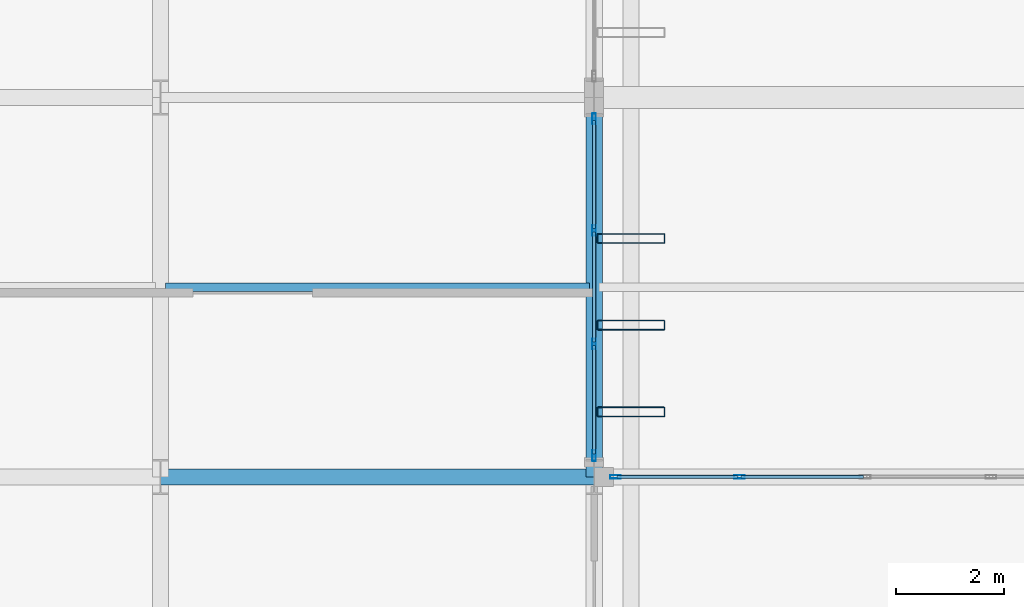
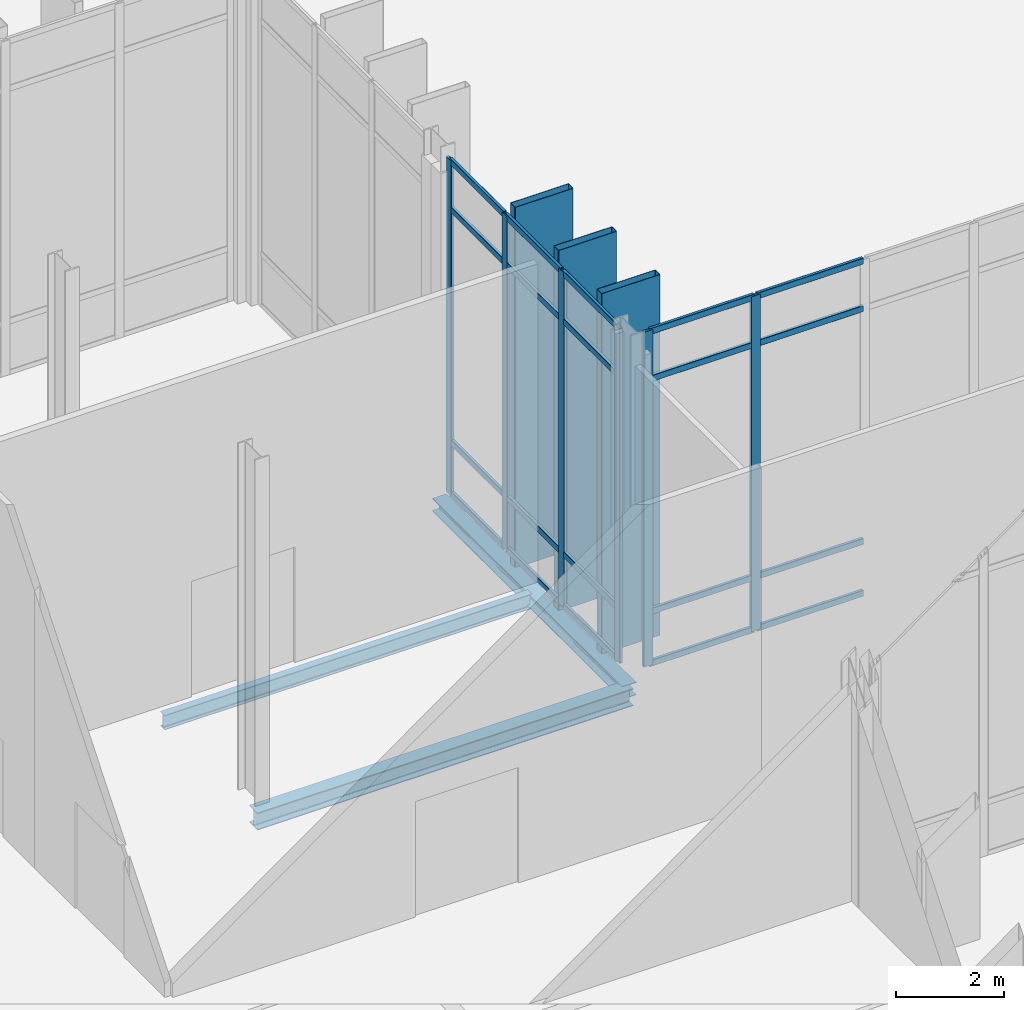
# One storey, part 101 of 176: 29 members, 3 beams, 2 elements without a shape of their own.
"""IFC4 building model written with IfcOpenShell, lengths in metres."""

from ifc_helpers import new_model, si_unit, direction, frame, origin, origin_2d, place, context, subcontext, project, spatial, hollow_rectangle, i_section, extrude, material, layer, layer_set, material_profile, profile_set, type_object, element, aggregate, save


model = new_model("IFC4")

# Units and contexts
model_context = context("Model", 3, precision=1e-05, world=origin(), true_north=direction((0.0, 1.0)))
body_context = subcontext(model_context, "Body", "Model", "MODEL_VIEW")
ifc_project = project(units=[si_unit("LENGTHUNIT", "METRE"), si_unit("AREAUNIT", "SQUARE_METRE"), si_unit("VOLUMEUNIT", "CUBIC_METRE"), si_unit("PLANEANGLEUNIT", "RADIAN"), si_unit("MASSUNIT", "GRAM", prefix="KILO")], contexts=[model_context])

# Site, building, storey
site_placement = place(None, origin())
site = spatial("IfcSite", under=ifc_project, at=site_placement, CompositionType="ELEMENT")
building_placement = place(site_placement, origin())
building = spatial("IfcBuilding", under=site, at=building_placement, Name="Vekula Escarpment Museum", CompositionType="ELEMENT")
storey_placement = place(building_placement, origin())
storey = spatial("IfcBuildingStorey", under=building, at=storey_placement, Name="L01", CompositionType="ELEMENT", Elevation=0.0)

# Beams
ifc_material_1 = material(Name="Steel S355", Category="steel")
ifc_material_profile_1 = material_profile(ifc_material_1, i_section(OverallWidth=0.159912109375, OverallDepth=0.330078125, WebThickness=0.007568359375, FlangeThickness=0.011474609375, FilletRadius=0.01806640625, at=origin_2d()), Name="IPE 330")
ifc_profile_set_1 = profile_set([ifc_material_profile_1], Name="Steel S355")
beam_type_1 = type_object("IfcBeamType", Name="BM-JST-IPE330", PredefinedType="JOIST", material=ifc_profile_set_1)
beam_1_placement = place(storey_placement, frame((118.090087890625, 79.89990234375, -0.465087890625), z_axis=(1.0, 0.0, 0.0), x_axis=(0.0, 1.0, 0.0)))
element("IfcBeam", 1, at=beam_1_placement, inside=storey, type_object=beam_type_1, Name="Secondary Joist L01 0399", PredefinedType="JOIST", context=body_context, shape_type="SweptSolid", body=[
    extrude(i_section(OverallWidth=0.159912109375, OverallDepth=0.330078125, WebThickness=0.007568359375, FlangeThickness=0.011474609375, FilletRadius=0.01806640625, at=origin_2d()), origin(), (0.0, 0.0, 1.0), 7.81982421875),
])
ifc_material_2 = material(Name="Steel S355", Category="steel")
ifc_material_profile_2 = material_profile(ifc_material_2, i_section(OverallWidth=0.300048828125, OverallDepth=0.2900390625, WebThickness=0.008544921875, FlangeThickness=0.013916015625, FilletRadius=0.027099609375, at=origin_2d()), Name="HEA 300")
ifc_profile_set_2 = profile_set([ifc_material_profile_2], Name="Steel S355")
beam_type_2 = type_object("IfcBeamType", Name="BM-SPAN-HEA300", PredefinedType="SPANDREL", material=ifc_profile_set_2)
beam_2_placement = place(storey_placement, frame((126.0, 76.39990234375, -0.445068359375), z_axis=(0.0, 1.0, 0.0), x_axis=(-1.0, 0.0, 0.0)))
element("IfcBeam", 2, at=beam_2_placement, inside=storey, type_object=beam_type_2, Name="Beam Y L01 0659", PredefinedType="SPANDREL", context=body_context, shape_type="SweptSolid", body=[
    extrude(i_section(OverallWidth=0.300048828125, OverallDepth=0.2900390625, WebThickness=0.008544921875, FlangeThickness=0.013916015625, FilletRadius=0.027099609375, at=origin_2d()), origin(), (0.0, 0.0, 1.0), 7.0),
])
ifc_material_3 = material(Name="Steel S355", Category="steel")
ifc_material_profile_3 = material_profile(ifc_material_3, i_section(OverallWidth=0.300048828125, OverallDepth=0.389892578125, WebThickness=0.010986328125, FlangeThickness=0.01904296875, FilletRadius=0.027099609375, at=origin_2d()), Name="HEA 400")
ifc_profile_set_3 = profile_set([ifc_material_profile_3], Name="Steel S355")
beam_type_3 = type_object("IfcBeamType", Name="BM-SPAN-HEA400", PredefinedType="SPANDREL", material=ifc_profile_set_3)
beam_3_placement = place(storey_placement, frame((118.0, 76.39990234375, -0.4951171875), z_axis=(1.0, 0.0, 0.0), x_axis=(0.0, 1.0, 0.0)))
element("IfcBeam", 3, at=beam_3_placement, inside=storey, type_object=beam_type_3, Name="Beam X L01 0221", PredefinedType="SPANDREL", context=body_context, shape_type="SweptSolid", body=[
    extrude(i_section(OverallWidth=0.300048828125, OverallDepth=0.389892578125, WebThickness=0.010986328125, FlangeThickness=0.01904296875, FilletRadius=0.027099609375, at=origin_2d()), origin(), (0.0, 0.0, 1.0), 8.0),
])

# Curtain wall, members
ifc_material_4 = material(Name="Aluminium thermally broken framing", Category="aluminium")
ifc_layer_1 = layer(ifc_material_4, 0.159912109375)
ifc_layer_set_1 = layer_set([ifc_layer_1], Name="Aluminium thermally broken framing")
curtain_wall_type_1 = type_object("IfcCurtainWallType", Name="CW-SYS-02", PredefinedType="NOTDEFINED", material=ifc_layer_set_1)
curtain_wall_1_placement = place(storey_placement, origin())
curtain_wall_1 = element("IfcCurtainWall", 4, at=curtain_wall_1_placement, inside=storey, type_object=curtain_wall_type_1, Name="Curtain Wall CW-L01-022", PredefinedType="NOTDEFINED")
ifc_material_5 = material(Name="Aluminium anodized mullion", Category="aluminium")
ifc_material_profile_4 = material_profile(ifc_material_5, hollow_rectangle(XDim=0.06494140625, YDim=0.199951171875, WallThickness=0.00390625, InnerFilletRadius=0.00390625, OuterFilletRadius=0.008056640625, at=origin_2d()), Name="ALU 200x65x4")
ifc_profile_set_4 = profile_set([ifc_material_profile_4], Name="Aluminium anodized mullion")
member_type_1 = type_object("IfcMemberType", Name="CW-MUL-200", PredefinedType="MULLION", material=ifc_profile_set_4)
member_1_placement = place(storey_placement, frame((128.679931640625, 76.39990234375, 0.0), z_axis=(0.0, 0.0, 1.0), x_axis=(0.0, -1.0, 0.0)))
member_1 = element("IfcMember", 5, at=member_1_placement, type_object=member_type_1, Name="CW-02 mullion 4", PredefinedType="MULLION", context=body_context, shape_type="SweptSolid", body=[
    extrude(hollow_rectangle(XDim=0.06494140625, YDim=0.199951171875, WallThickness=0.00390625, InnerFilletRadius=0.00390625, OuterFilletRadius=0.008056640625, at=origin_2d()), origin(), (0.0, 0.0, 1.0), 7.5400390625),
])
member_2_placement = place(storey_placement, frame((126.392578125, 76.39990234375, 0.0), z_axis=(0.0, 0.0, 1.0), x_axis=(0.0, -1.0, 0.0)))
member_2 = element("IfcMember", 6, at=member_2_placement, type_object=member_type_1, Name="CW-02 mullion 5", PredefinedType="MULLION", context=body_context, shape_type="SweptSolid", body=[
    extrude(hollow_rectangle(XDim=0.06494140625, YDim=0.199951171875, WallThickness=0.00390625, InnerFilletRadius=0.00390625, OuterFilletRadius=0.008056640625, at=origin_2d()), origin(), (0.0, 0.0, 1.0), 7.5400390625),
])

ifc_material_6 = material(Name="Aluminium thermally broken framing", Category="aluminium")
ifc_layer_2 = layer(ifc_material_6, 0.199951171875)
ifc_layer_set_2 = layer_set([ifc_layer_2], Name="Aluminium thermally broken framing")
curtain_wall_type_2 = type_object("IfcCurtainWallType", Name="CW-SYS-03", PredefinedType="NOTDEFINED", material=ifc_layer_set_2)
curtain_wall_2_placement = place(storey_placement, origin())
curtain_wall_2 = element("IfcCurtainWall", 7, at=curtain_wall_2_placement, inside=storey, type_object=curtain_wall_type_2, Name="Curtain Wall CW-L01-023", PredefinedType="NOTDEFINED")
member_3_placement = place(storey_placement, frame((126.0, 76.79248046875, 0.0), z_axis=(0.0, 0.0, 1.0), x_axis=(-1.0, 0.0, 0.0)))
member_3 = element("IfcMember", 8, at=member_3_placement, type_object=member_type_1, Name="CW-03 mullion 1", PredefinedType="MULLION", context=body_context, shape_type="SweptSolid", body=[
    extrude(hollow_rectangle(XDim=0.06494140625, YDim=0.199951171875, WallThickness=0.00390625, InnerFilletRadius=0.00390625, OuterFilletRadius=0.008056640625, at=origin_2d()), origin(), (0.0, 0.0, 1.0), 7.5400390625),
])
member_4_placement = place(storey_placement, frame((126.0, 78.853271484375, 0.0), z_axis=(0.0, 0.0, 1.0), x_axis=(-1.0, 0.0, 0.0)))
member_4 = element("IfcMember", 9, at=member_4_placement, type_object=member_type_1, Name="CW-03 mullion 2", PredefinedType="MULLION", context=body_context, shape_type="SweptSolid", body=[
    extrude(hollow_rectangle(XDim=0.06494140625, YDim=0.199951171875, WallThickness=0.00390625, InnerFilletRadius=0.00390625, OuterFilletRadius=0.008056640625, at=origin_2d()), origin(), (0.0, 0.0, 1.0), 7.5400390625),
])
member_5_placement = place(storey_placement, frame((126.0, 80.94677734375, 0.0), z_axis=(0.0, 0.0, 1.0), x_axis=(-1.0, 0.0, 0.0)))
member_5 = element("IfcMember", 10, at=member_5_placement, type_object=member_type_1, Name="CW-03 mullion 3", PredefinedType="MULLION", context=body_context, shape_type="SweptSolid", body=[
    extrude(hollow_rectangle(XDim=0.06494140625, YDim=0.199951171875, WallThickness=0.00390625, InnerFilletRadius=0.00390625, OuterFilletRadius=0.008056640625, at=origin_2d()), origin(), (0.0, 0.0, 1.0), 7.5400390625),
])
member_6_placement = place(storey_placement, frame((126.0, 83.007568359375, 0.0), z_axis=(0.0, 0.0, 1.0), x_axis=(-1.0, 0.0, 0.0)))
member_6 = element("IfcMember", 11, at=member_6_placement, type_object=member_type_1, Name="CW-03 mullion 4", PredefinedType="MULLION", context=body_context, shape_type="SweptSolid", body=[
    extrude(hollow_rectangle(XDim=0.06494140625, YDim=0.199951171875, WallThickness=0.00390625, InnerFilletRadius=0.00390625, OuterFilletRadius=0.008056640625, at=origin_2d()), origin(), (0.0, 0.0, 1.0), 7.5400390625),
])

# Member
ifc_material_7 = material(Name="Aluminium anodized transom", Category="aluminium")
ifc_material_profile_5 = material_profile(ifc_material_7, hollow_rectangle(XDim=0.06494140625, YDim=0.139892578125, WallThickness=0.00390625, InnerFilletRadius=0.00390625, OuterFilletRadius=0.008056640625, at=origin_2d()), Name="ALU 140x65x4")
ifc_profile_set_5 = profile_set([ifc_material_profile_5], Name="Aluminium anodized transom")
member_type_2 = type_object("IfcMemberType", Name="CW-TRN-140", PredefinedType="USERDEFINED", material=ifc_profile_set_5)
member_7_placement = place(storey_placement, frame((130.967529296875, 76.39990234375, 0.032470703125), z_axis=(-1.0, 0.0, 0.0), x_axis=(0.0, -1.0, 0.0)))
member_7 = element("IfcMember", 12, at=member_7_placement, type_object=member_type_2, Name="CW-02 transom 3.1", ObjectType="TRANSOM", PredefinedType="USERDEFINED", context=body_context, shape_type="SweptSolid", body=[
    extrude(hollow_rectangle(XDim=0.06494140625, YDim=0.139892578125, WallThickness=0.00390625, InnerFilletRadius=0.00390625, OuterFilletRadius=0.008056640625, at=origin_2d()), origin(), (0.0, 0.0, 1.0), 2.255126953125),
])

member_8_placement = place(storey_placement, frame((130.967529296875, 76.39990234375, 1.199951171875), z_axis=(-1.0, 0.0, 0.0), x_axis=(0.0, -1.0, 0.0)))
member_8 = element("IfcMember", 13, at=member_8_placement, type_object=member_type_2, Name="CW-02 transom 3.2", ObjectType="TRANSOM", PredefinedType="USERDEFINED", context=body_context, shape_type="SweptSolid", body=[
    extrude(hollow_rectangle(XDim=0.06494140625, YDim=0.139892578125, WallThickness=0.00390625, InnerFilletRadius=0.00390625, OuterFilletRadius=0.008056640625, at=origin_2d()), origin(), (0.0, 0.0, 1.0), 2.255126953125),
])

member_9_placement = place(storey_placement, frame((130.967529296875, 76.39990234375, 6.43994140625), z_axis=(-1.0, 0.0, 0.0), x_axis=(0.0, -1.0, 0.0)))
member_9 = element("IfcMember", 14, at=member_9_placement, type_object=member_type_2, Name="CW-02 transom 3.3", ObjectType="TRANSOM", PredefinedType="USERDEFINED", context=body_context, shape_type="SweptSolid", body=[
    extrude(hollow_rectangle(XDim=0.06494140625, YDim=0.139892578125, WallThickness=0.00390625, InnerFilletRadius=0.00390625, OuterFilletRadius=0.008056640625, at=origin_2d()), origin(), (0.0, 0.0, 1.0), 2.255126953125),
])

member_10_placement = place(storey_placement, frame((130.967529296875, 76.39990234375, 7.507568359375), z_axis=(-1.0, 0.0, 0.0), x_axis=(0.0, -1.0, 0.0)))
member_10 = element("IfcMember", 15, at=member_10_placement, type_object=member_type_2, Name="CW-02 transom 3.4", ObjectType="TRANSOM", PredefinedType="USERDEFINED", context=body_context, shape_type="SweptSolid", body=[
    extrude(hollow_rectangle(XDim=0.06494140625, YDim=0.139892578125, WallThickness=0.00390625, InnerFilletRadius=0.00390625, OuterFilletRadius=0.008056640625, at=origin_2d()), origin(), (0.0, 0.0, 1.0), 2.255126953125),
])

member_11_placement = place(storey_placement, frame((128.6474609375, 76.39990234375, 0.032470703125), z_axis=(-1.0, 0.0, 0.0), x_axis=(0.0, -1.0, 0.0)))
member_11 = element("IfcMember", 16, at=member_11_placement, type_object=member_type_2, Name="CW-02 transom 4.1", ObjectType="TRANSOM", PredefinedType="USERDEFINED", context=body_context, shape_type="SweptSolid", body=[
    extrude(hollow_rectangle(XDim=0.06494140625, YDim=0.139892578125, WallThickness=0.00390625, InnerFilletRadius=0.00390625, OuterFilletRadius=0.008056640625, at=origin_2d()), origin(), (0.0, 0.0, 1.0), 2.222412109375),
])

member_12_placement = place(storey_placement, frame((128.6474609375, 76.39990234375, 1.199951171875), z_axis=(-1.0, 0.0, 0.0), x_axis=(0.0, -1.0, 0.0)))
member_12 = element("IfcMember", 17, at=member_12_placement, type_object=member_type_2, Name="CW-02 transom 4.2", ObjectType="TRANSOM", PredefinedType="USERDEFINED", context=body_context, shape_type="SweptSolid", body=[
    extrude(hollow_rectangle(XDim=0.06494140625, YDim=0.139892578125, WallThickness=0.00390625, InnerFilletRadius=0.00390625, OuterFilletRadius=0.008056640625, at=origin_2d()), origin(), (0.0, 0.0, 1.0), 2.222412109375),
])

member_13_placement = place(storey_placement, frame((128.6474609375, 76.39990234375, 6.43994140625), z_axis=(-1.0, 0.0, 0.0), x_axis=(0.0, -1.0, 0.0)))
member_13 = element("IfcMember", 18, at=member_13_placement, type_object=member_type_2, Name="CW-02 transom 4.3", ObjectType="TRANSOM", PredefinedType="USERDEFINED", context=body_context, shape_type="SweptSolid", body=[
    extrude(hollow_rectangle(XDim=0.06494140625, YDim=0.139892578125, WallThickness=0.00390625, InnerFilletRadius=0.00390625, OuterFilletRadius=0.008056640625, at=origin_2d()), origin(), (0.0, 0.0, 1.0), 2.222412109375),
])

member_14_placement = place(storey_placement, frame((128.6474609375, 76.39990234375, 7.507568359375), z_axis=(-1.0, 0.0, 0.0), x_axis=(0.0, -1.0, 0.0)))
member_14 = element("IfcMember", 19, at=member_14_placement, type_object=member_type_2, Name="CW-02 transom 4.4", ObjectType="TRANSOM", PredefinedType="USERDEFINED", context=body_context, shape_type="SweptSolid", body=[
    extrude(hollow_rectangle(XDim=0.06494140625, YDim=0.139892578125, WallThickness=0.00390625, InnerFilletRadius=0.00390625, OuterFilletRadius=0.008056640625, at=origin_2d()), origin(), (0.0, 0.0, 1.0), 2.222412109375),
])

aggregate(curtain_wall_1, [member_1, member_2, member_7, member_8, member_9, member_10, member_11, member_12, member_13, member_14])

member_15_placement = place(storey_placement, frame((126.0, 76.824951171875, 0.032470703125), z_axis=(0.0, 1.0, 0.0), x_axis=(-1.0, 0.0, 0.0)))
member_15 = element("IfcMember", 20, at=member_15_placement, type_object=member_type_2, Name="CW-03 transom 1.1", ObjectType="TRANSOM", PredefinedType="USERDEFINED", context=body_context, shape_type="SweptSolid", body=[
    extrude(hollow_rectangle(XDim=0.06494140625, YDim=0.139892578125, WallThickness=0.00390625, InnerFilletRadius=0.00390625, OuterFilletRadius=0.008056640625, at=origin_2d()), origin(), (0.0, 0.0, 1.0), 1.995849609375),
])

member_16_placement = place(storey_placement, frame((126.0, 76.824951171875, 1.199951171875), z_axis=(0.0, 1.0, 0.0), x_axis=(-1.0, 0.0, 0.0)))
member_16 = element("IfcMember", 21, at=member_16_placement, type_object=member_type_2, Name="CW-03 transom 1.2", ObjectType="TRANSOM", PredefinedType="USERDEFINED", context=body_context, shape_type="SweptSolid", body=[
    extrude(hollow_rectangle(XDim=0.06494140625, YDim=0.139892578125, WallThickness=0.00390625, InnerFilletRadius=0.00390625, OuterFilletRadius=0.008056640625, at=origin_2d()), origin(), (0.0, 0.0, 1.0), 1.995849609375),
])

member_17_placement = place(storey_placement, frame((126.0, 76.824951171875, 6.43994140625), z_axis=(0.0, 1.0, 0.0), x_axis=(-1.0, 0.0, 0.0)))
member_17 = element("IfcMember", 22, at=member_17_placement, type_object=member_type_2, Name="CW-03 transom 1.3", ObjectType="TRANSOM", PredefinedType="USERDEFINED", context=body_context, shape_type="SweptSolid", body=[
    extrude(hollow_rectangle(XDim=0.06494140625, YDim=0.139892578125, WallThickness=0.00390625, InnerFilletRadius=0.00390625, OuterFilletRadius=0.008056640625, at=origin_2d()), origin(), (0.0, 0.0, 1.0), 1.995849609375),
])

member_18_placement = place(storey_placement, frame((126.0, 76.824951171875, 7.507568359375), z_axis=(0.0, 1.0, 0.0), x_axis=(-1.0, 0.0, 0.0)))
member_18 = element("IfcMember", 23, at=member_18_placement, type_object=member_type_2, Name="CW-03 transom 1.4", ObjectType="TRANSOM", PredefinedType="USERDEFINED", context=body_context, shape_type="SweptSolid", body=[
    extrude(hollow_rectangle(XDim=0.06494140625, YDim=0.139892578125, WallThickness=0.00390625, InnerFilletRadius=0.00390625, OuterFilletRadius=0.008056640625, at=origin_2d()), origin(), (0.0, 0.0, 1.0), 1.995849609375),
])

member_19_placement = place(storey_placement, frame((126.0, 78.8857421875, 0.032470703125), z_axis=(0.0, 1.0, 0.0), x_axis=(-1.0, 0.0, 0.0)))
member_19 = element("IfcMember", 24, at=member_19_placement, type_object=member_type_2, Name="CW-03 transom 2.1", ObjectType="TRANSOM", PredefinedType="USERDEFINED", context=body_context, shape_type="SweptSolid", body=[
    extrude(hollow_rectangle(XDim=0.06494140625, YDim=0.139892578125, WallThickness=0.00390625, InnerFilletRadius=0.00390625, OuterFilletRadius=0.008056640625, at=origin_2d()), origin(), (0.0, 0.0, 1.0), 2.0283203125),
])

member_20_placement = place(storey_placement, frame((126.0, 78.8857421875, 1.199951171875), z_axis=(0.0, 1.0, 0.0), x_axis=(-1.0, 0.0, 0.0)))
member_20 = element("IfcMember", 25, at=member_20_placement, type_object=member_type_2, Name="CW-03 transom 2.2", ObjectType="TRANSOM", PredefinedType="USERDEFINED", context=body_context, shape_type="SweptSolid", body=[
    extrude(hollow_rectangle(XDim=0.06494140625, YDim=0.139892578125, WallThickness=0.00390625, InnerFilletRadius=0.00390625, OuterFilletRadius=0.008056640625, at=origin_2d()), origin(), (0.0, 0.0, 1.0), 2.0283203125),
])

member_21_placement = place(storey_placement, frame((126.0, 78.8857421875, 6.43994140625), z_axis=(0.0, 1.0, 0.0), x_axis=(-1.0, 0.0, 0.0)))
member_21 = element("IfcMember", 26, at=member_21_placement, type_object=member_type_2, Name="CW-03 transom 2.3", ObjectType="TRANSOM", PredefinedType="USERDEFINED", context=body_context, shape_type="SweptSolid", body=[
    extrude(hollow_rectangle(XDim=0.06494140625, YDim=0.139892578125, WallThickness=0.00390625, InnerFilletRadius=0.00390625, OuterFilletRadius=0.008056640625, at=origin_2d()), origin(), (0.0, 0.0, 1.0), 2.0283203125),
])

member_22_placement = place(storey_placement, frame((126.0, 78.8857421875, 7.507568359375), z_axis=(0.0, 1.0, 0.0), x_axis=(-1.0, 0.0, 0.0)))
member_22 = element("IfcMember", 27, at=member_22_placement, type_object=member_type_2, Name="CW-03 transom 2.4", ObjectType="TRANSOM", PredefinedType="USERDEFINED", context=body_context, shape_type="SweptSolid", body=[
    extrude(hollow_rectangle(XDim=0.06494140625, YDim=0.139892578125, WallThickness=0.00390625, InnerFilletRadius=0.00390625, OuterFilletRadius=0.008056640625, at=origin_2d()), origin(), (0.0, 0.0, 1.0), 2.0283203125),
])

member_23_placement = place(storey_placement, frame((126.0, 80.979248046875, 0.032470703125), z_axis=(0.0, 1.0, 0.0), x_axis=(-1.0, 0.0, 0.0)))
member_23 = element("IfcMember", 28, at=member_23_placement, type_object=member_type_2, Name="CW-03 transom 3.1", ObjectType="TRANSOM", PredefinedType="USERDEFINED", context=body_context, shape_type="SweptSolid", body=[
    extrude(hollow_rectangle(XDim=0.06494140625, YDim=0.139892578125, WallThickness=0.00390625, InnerFilletRadius=0.00390625, OuterFilletRadius=0.008056640625, at=origin_2d()), origin(), (0.0, 0.0, 1.0), 1.995849609375),
])

member_24_placement = place(storey_placement, frame((126.0, 80.979248046875, 1.199951171875), z_axis=(0.0, 1.0, 0.0), x_axis=(-1.0, 0.0, 0.0)))
member_24 = element("IfcMember", 29, at=member_24_placement, type_object=member_type_2, Name="CW-03 transom 3.2", ObjectType="TRANSOM", PredefinedType="USERDEFINED", context=body_context, shape_type="SweptSolid", body=[
    extrude(hollow_rectangle(XDim=0.06494140625, YDim=0.139892578125, WallThickness=0.00390625, InnerFilletRadius=0.00390625, OuterFilletRadius=0.008056640625, at=origin_2d()), origin(), (0.0, 0.0, 1.0), 1.995849609375),
])

member_25_placement = place(storey_placement, frame((126.0, 80.979248046875, 6.43994140625), z_axis=(0.0, 1.0, 0.0), x_axis=(-1.0, 0.0, 0.0)))
member_25 = element("IfcMember", 30, at=member_25_placement, type_object=member_type_2, Name="CW-03 transom 3.3", ObjectType="TRANSOM", PredefinedType="USERDEFINED", context=body_context, shape_type="SweptSolid", body=[
    extrude(hollow_rectangle(XDim=0.06494140625, YDim=0.139892578125, WallThickness=0.00390625, InnerFilletRadius=0.00390625, OuterFilletRadius=0.008056640625, at=origin_2d()), origin(), (0.0, 0.0, 1.0), 1.995849609375),
])

member_26_placement = place(storey_placement, frame((126.0, 80.979248046875, 7.507568359375), z_axis=(0.0, 1.0, 0.0), x_axis=(-1.0, 0.0, 0.0)))
member_26 = element("IfcMember", 31, at=member_26_placement, type_object=member_type_2, Name="CW-03 transom 3.4", ObjectType="TRANSOM", PredefinedType="USERDEFINED", context=body_context, shape_type="SweptSolid", body=[
    extrude(hollow_rectangle(XDim=0.06494140625, YDim=0.139892578125, WallThickness=0.00390625, InnerFilletRadius=0.00390625, OuterFilletRadius=0.008056640625, at=origin_2d()), origin(), (0.0, 0.0, 1.0), 1.995849609375),
])

aggregate(curtain_wall_2, [member_3, member_4, member_5, member_6, member_15, member_16, member_17, member_18, member_19, member_20, member_21, member_22, member_23, member_24, member_25, member_26])

# Members
ifc_material_8 = material(Name="Steel S355 weathered bronze solar fin", Category="steel")
ifc_material_profile_6 = material_profile(ifc_material_8, hollow_rectangle(XDim=0.179931640625, YDim=1.25, WallThickness=0.010009765625, InnerFilletRadius=0.010009765625, OuterFilletRadius=0.02001953125, at=origin_2d()), Name="RHS 1250x180x10")
ifc_profile_set_6 = profile_set([ifc_material_profile_6], Name="Steel S355 weathered bronze solar fin")
member_type_3 = type_object("IfcMemberType", Name="MB-SOLAR-FIN", PredefinedType="USERDEFINED", material=ifc_profile_set_6)
for number, where, z_axis, x_axis, name in (
    (32, (126.679931640625, 77.60009765625, -0.320068359375), (0.0, 0.0, 1.0), (0.0, 1.0, 0.0), "Great Hall Vertical Solar Fin 0386"),
    (33, (126.679931640625, 79.199951171875, -0.320068359375), (0.0, 0.0, 1.0), (0.0, 1.0, 0.0), "Great Hall Vertical Solar Fin 0391"),
    (34, (126.679931640625, 80.800048828125, -0.320068359375), (0.0, 0.0, 1.0), (0.0, 1.0, 0.0), "Great Hall Vertical Solar Fin 0396"),
):
    element("IfcMember", number, at=place(storey_placement, frame(where, z_axis=z_axis, x_axis=x_axis)), inside=storey, type_object=member_type_3, Name=name, ObjectType="SOLAR FIN", PredefinedType="USERDEFINED", context=body_context, shape_type="SweptSolid", body=[
        extrude(hollow_rectangle(XDim=0.179931640625, YDim=1.25, WallThickness=0.010009765625, InnerFilletRadius=0.010009765625, OuterFilletRadius=0.02001953125, at=origin_2d()), origin(), (0.0, 0.0, 1.0), 8.1201171875),
    ])

save(model, "model.ifc")
